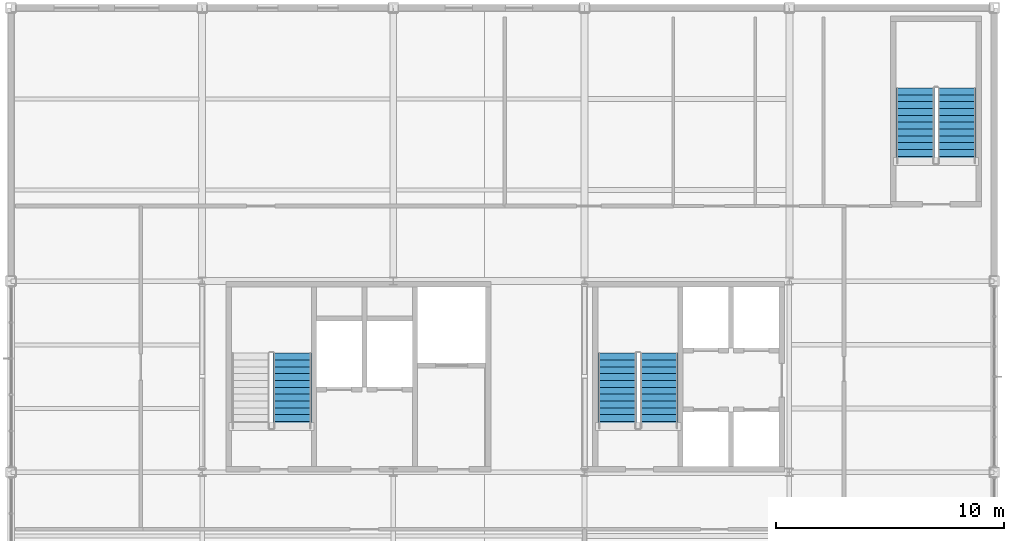
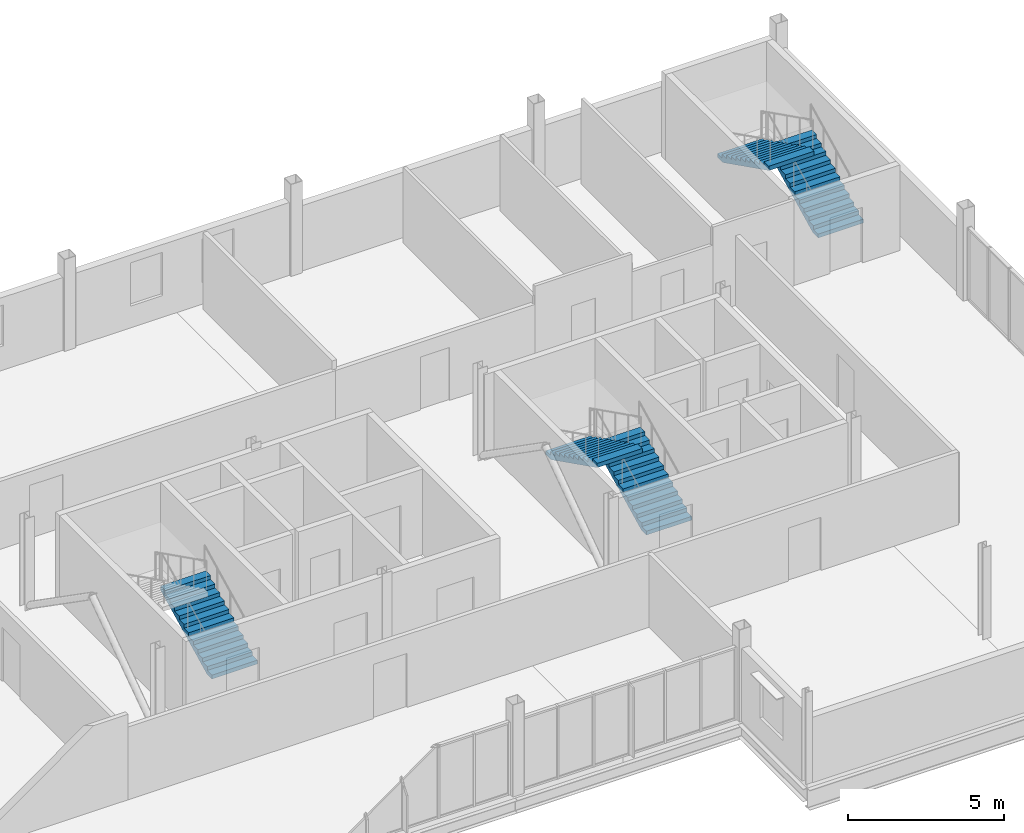
# One storey, part 14 of 16: 5 stair flights, 3 elements without a shape of their own.
"""IFC4 building model written with IfcOpenShell, lengths in metres."""

import ifcopenshell
import ifcopenshell.guid

model = None  # the IFC model being written
_history = None  # IfcOwnerHistory: only IFC2X3 demands one
_inside = {}  # id of a spatial element -> (the spatial element, [elements in it])
_under = {}  # id of a project, library or spatial element -> (it, [spatial elements below it])
_declared = {}  # id of a project -> (the project, [libraries it declares])
_typed = {}  # id of a type object -> (the type object, [elements of that type])
_made_of = {}  # id of a material, layer set ... -> (it, [elements and type objects made of it])


def new_model(schema):
    """Start an empty IFC model of exactly this schema.

    Asked for "IFC4X3", IfcOpenShell would pick the latest addendum, in which some entities
    have other attributes; the version numbers below select the first issue.
    IFC2X3 requires an IfcOwnerHistory on every rooted entity: one is made here for all.
    """
    global model, _history
    if schema == "IFC4X3":
        model = ifcopenshell.file(schema_version=(4, 3, 0, 0))
    else:
        model = ifcopenshell.file(schema=schema)
    _inside.clear()
    _under.clear()
    _declared.clear()
    _typed.clear()
    _made_of.clear()
    _history = None
    if model.schema == "IFC2X3":
        org = make("IfcOrganization", Name="unknown")
        user = make(
            "IfcPersonAndOrganization",
            ThePerson=make("IfcPerson", FamilyName="unknown"),
            TheOrganization=org,
        )
        app = make(
            "IfcApplication",
            ApplicationDeveloper=org,
            Version="unknown",
            ApplicationFullName="unknown",
            ApplicationIdentifier="unknown",
        )
        _history = make(
            "IfcOwnerHistory",
            OwningUser=user,
            OwningApplication=app,
            ChangeAction="ADDED",
            CreationDate=0,
        )
    return model


def make(cls, **values):
    """One entity of the class cls with the attributes given. An attribute that is None is left unset."""
    return model.create_entity(
        cls, **{name: value for name, value in values.items() if value is not None}
    )


def rooted(cls, **values):
    """An entity with a GlobalId (a new one), such as an element, a storey or a relation."""
    return make(cls, GlobalId=ifcopenshell.guid.new(), OwnerHistory=_history, **values)


def si_unit(unit_type, name, prefix=None):
    """IfcSIUnit, for example si_unit("LENGTHUNIT", "METRE", prefix="MILLI")."""
    return make("IfcSIUnit", UnitType=unit_type, Prefix=prefix, Name=name)


def assignment(units):
    """IfcUnitAssignment: the units of a project."""
    return None if units is None else make("IfcUnitAssignment", Units=units)


def point(xyz):
    """IfcCartesianPoint."""
    return None if xyz is None else make("IfcCartesianPoint", Coordinates=xyz)


def direction(xyz):
    """IfcDirection."""
    return None if xyz is None else make("IfcDirection", DirectionRatios=xyz)


def frame(location, z_axis=None, x_axis=None):
    """IfcAxis2Placement3D, a coordinate frame: its origin and axes. An axis left out is left unset."""
    return make(
        "IfcAxis2Placement3D",
        Location=point(location),
        Axis=direction(z_axis),
        RefDirection=direction(x_axis),
    )


def origin():
    """The frame at (0, 0, 0) with its axes left unset."""
    return frame((0.0, 0.0, 0.0))


def place(relative_to, where):
    """IfcLocalPlacement: puts the frame where relative to a parent placement (None: the world)."""
    return make(
        "IfcLocalPlacement", PlacementRelTo=relative_to, RelativePlacement=where
    )


def context(
    kind, dimensions, precision=None, world=None, true_north=None, identifier=None
):
    """IfcGeometricRepresentationContext, for example the 3D "Model" context."""
    return make(
        "IfcGeometricRepresentationContext",
        ContextIdentifier=identifier,
        ContextType=kind,
        CoordinateSpaceDimension=dimensions,
        Precision=precision,
        WorldCoordinateSystem=world,
        TrueNorth=true_north,
    )


def subcontext(parent, identifier, kind, view, scale=None):
    """IfcGeometricRepresentationSubContext, for example "Body" below "Model"."""
    return make(
        "IfcGeometricRepresentationSubContext",
        ContextIdentifier=identifier,
        ContextType=kind,
        ParentContext=parent,
        TargetScale=scale,
        TargetView=view,
    )


def project(units=None, contexts=None):
    """IfcProject with its units and contexts."""
    return rooted(
        "IfcProject",
        Name="project",
        RepresentationContexts=contexts,
        UnitsInContext=assignment(units),
    )


def spatial(cls, under=None, at=None, **own):
    """A site, building, storey or space (cls), placed at a placement, below another one or the project."""
    s = rooted(cls, ObjectPlacement=at, **own)
    if under is not None:
        _under.setdefault(under.id(), (under, []))[1].append(s)
    return s


def polyline(points):
    """IfcPolyline through the points."""
    return make("IfcPolyline", Points=[point(p) for p in points])


def outline(outer, holes=None, kind="AREA"):
    """IfcArbitraryClosedProfileDef: a profile drawn as a closed curve; with holes, ...WithVoids."""
    if holes is None:
        return make("IfcArbitraryClosedProfileDef", ProfileType=kind, OuterCurve=outer)
    return make(
        "IfcArbitraryProfileDefWithVoids",
        ProfileType=kind,
        OuterCurve=outer,
        InnerCurves=holes,
    )


def extrude(swept, where, along, depth):
    """IfcExtrudedAreaSolid: the profile swept, set in the frame where, extruded along a direction by depth."""
    return make(
        "IfcExtrudedAreaSolid",
        SweptArea=swept,
        Position=where,
        ExtrudedDirection=direction(along),
        Depth=depth,
    )


def shape(context_of_items, identifier, shape_type, items):
    """IfcShapeRepresentation: the items that make up one representation, for example the "Body"."""
    return make(
        "IfcShapeRepresentation",
        ContextOfItems=context_of_items,
        RepresentationIdentifier=identifier,
        RepresentationType=shape_type,
        Items=items,
    )


def material(Name=None, Category=None):
    """IfcMaterial."""
    return make("IfcMaterial", Name=Name, Category=Category)


def made_of(thing, what):
    """Note that an element or type object is made of a material, layer set ...; save() writes the relation."""
    if what is not None:
        _made_of.setdefault(what.id(), (what, []))[1].append(thing)
    return thing


def type_object(cls, material=None, **own):
    """A type object (cls), such as IfcWallType, which elements share."""
    return made_of(rooted(cls, **own), material)


def element(
    cls,
    number,
    at=None,
    inside=None,
    cuts=None,
    type_object=None,
    material=None,
    context=None,
    identifier="Body",
    shape_type=None,
    held_by="IfcProductDefinitionShape",
    body=None,
    shapes=None,
    **own,
):
    """One element of the class cls, such as IfcWall. Its Tag is "e" and its number.

    at: its placement. inside: the storey or other place that contains it. cuts: it is an
    opening in that element (IfcRelVoidsElement). A single representation is given by context,
    identifier, shape_type and body (its items); several are given by shapes. held_by: the class
    of the entity that holds the representations. save() writes the other relations.
    """
    e = rooted(cls, Tag="e%d" % number, ObjectPlacement=at, **own)
    if body is not None:
        shapes = [shape(context, identifier, shape_type, body)]
    if shapes is not None:
        e.Representation = make(held_by, Representations=shapes)
    if inside is not None:
        _inside.setdefault(inside.id(), (inside, []))[1].append(e)
    if cuts is not None:
        rooted(
            "IfcRelVoidsElement", RelatingBuildingElement=cuts, RelatedOpeningElement=e
        )
    if type_object is not None:
        _typed.setdefault(type_object.id(), (type_object, []))[1].append(e)
    return made_of(e, material)


def aggregate(whole, parts):
    """IfcRelAggregates: a whole, such as a stair, and the parts it consists of."""
    return rooted("IfcRelAggregates", RelatingObject=whole, RelatedObjects=parts)


def save(model, path):
    """Write the relations noted so far, then the file.

    IfcRelAggregates (storeys below a building ...), IfcRelContainedInSpatialStructure (elements
    in a storey), IfcRelDefinesByType, IfcRelAssociatesMaterial and IfcRelDeclares: one each for
    every whole, place, type object, material and project.
    """
    for whole, parts in _under.values():
        aggregate(whole, parts)
    for where, things in _inside.values():
        rooted(
            "IfcRelContainedInSpatialStructure",
            RelatedElements=things,
            RelatingStructure=where,
        )
    for kind, things in _typed.values():
        rooted("IfcRelDefinesByType", RelatedObjects=things, RelatingType=kind)
    for what, things in _made_of.values():
        rooted("IfcRelAssociatesMaterial", RelatedObjects=things, RelatingMaterial=what)
    for by, libraries in _declared.values():
        rooted("IfcRelDeclares", RelatingContext=by, RelatedDefinitions=libraries)
    model.write(path)


model = new_model("IFC4")

# Units and contexts
model_context = context("Model", 3, precision=1e-05, world=origin(), true_north=direction((0.0, 1.0)))
body_context = subcontext(model_context, "Body", "Model", "MODEL_VIEW")
ifc_project = project(units=[si_unit("LENGTHUNIT", "METRE"), si_unit("AREAUNIT", "SQUARE_METRE"), si_unit("VOLUMEUNIT", "CUBIC_METRE"), si_unit("PLANEANGLEUNIT", "RADIAN"), si_unit("MASSUNIT", "GRAM", prefix="KILO")], contexts=[model_context])

# Site, building, storey
site_placement = place(None, origin())
site = spatial("IfcSite", under=ifc_project, at=site_placement, CompositionType="ELEMENT")
building_placement = place(site_placement, origin())
building = spatial("IfcBuilding", under=site, at=building_placement, Name="Yukiwa Park Conservatory and Herbarium", CompositionType="ELEMENT")
storey_placement = place(building_placement, frame((0.0, 0.0, 43.199951171875)))
storey = spatial("IfcBuildingStorey", under=building, at=storey_placement, Name="L11", CompositionType="ELEMENT", Elevation=43.199951171875)

# Stair, stair flight
ifc_material_1 = material(Name="Concrete C40", Category="concrete")
stair_type_1 = type_object("IfcStairType", Name="ST-DOGLEG-ST-T1", PredefinedType="HALF_TURN_STAIR", material=ifc_material_1)
stair_1_placement = place(storey_placement, origin())
stair_1 = element("IfcStair", 1, at=stair_1_placement, inside=storey, type_object=stair_type_1, Name="L11 Protected Smoke-Proof Stair ST-T1", PredefinedType="HALF_TURN_STAIR")
ifc_material_2 = material(Name="Concrete C40", Category="concrete")
stair_flight_type = type_object("IfcStairFlightType", Name="STF-RC-1680", PredefinedType="STRAIGHT", material=ifc_material_2)
stair_flight_1_placement = place(storey_placement, frame((137.159912109375, 96.72998046875, 0.0), z_axis=(0.0, 0.0, 1.0), x_axis=(0.0, 1.0, 0.0)))
stair_flight_1 = element("IfcStairFlight", 2, at=stair_flight_1_placement, type_object=stair_flight_type, Name="ST-T1 flight 1", NumberOfRisers=12, NumberOfTreads=11, PredefinedType="STRAIGHT", RiserHeight=0.15, TreadLength=0.3, context=body_context, shape_type="SweptSolid", body=[
    extrude(outline(polyline([(0.0, 0.0), (0.0, 0.14990234375), (0.300048828125, 0.14990234375), (0.300048828125, 0.300048828125), (0.60009765625, 0.300048828125), (0.60009765625, 0.449951171875), (0.89990234375, 0.449951171875), (0.89990234375, 0.60009765625), (1.199951171875, 0.60009765625), (1.199951171875, 0.75), (1.5, 0.75), (1.5, 0.89990234375), (1.800048828125, 0.89990234375), (1.800048828125, 1.050048828125), (2.10009765625, 1.050048828125), (2.10009765625, 1.199951171875), (2.39990234375, 1.199951171875), (2.39990234375, 1.35009765625), (2.699951171875, 1.35009765625), (2.699951171875, 1.5), (3.0, 1.5), (3.0, 1.64990234375), (3.300048828125, 1.64990234375), (3.300048828125, 1.800048828125), (3.300048828125, 1.482421875), (0.335205078125, 0.0), (0.0, 0.0)])), frame((0.0, 0.83984375, 0.0), z_axis=(0.0, -1.0, 0.0), x_axis=(1.0, 0.0, 0.0)), (0.0, 0.0, 1.0), 1.679931640625),
])
aggregate(stair_1, [stair_flight_1])

# Stair, stair flights
ifc_material_3 = material(Name="Concrete C40", Category="concrete")
stair_type_2 = type_object("IfcStairType", Name="ST-DOGLEG-ST-T2", PredefinedType="HALF_TURN_STAIR", material=ifc_material_3)
stair_2_placement = place(storey_placement, origin())
stair_2 = element("IfcStair", 3, at=stair_2_placement, inside=storey, type_object=stair_type_2, Name="L11 Protected Smoke-Proof Stair ST-T2", PredefinedType="HALF_TURN_STAIR")
stair_flight_2_placement = place(storey_placement, frame((153.27001953125, 96.72998046875, 0.0), z_axis=(0.0, 0.0, 1.0), x_axis=(0.0, 1.0, 0.0)))
stair_flight_2 = element("IfcStairFlight", 4, at=stair_flight_2_placement, type_object=stair_flight_type, Name="ST-T2 flight 1", NumberOfRisers=12, NumberOfTreads=11, PredefinedType="STRAIGHT", RiserHeight=0.15, TreadLength=0.3, context=body_context, shape_type="SweptSolid", body=[
    extrude(outline(polyline([(0.0, 0.0), (0.0, 0.14990234375), (0.300048828125, 0.14990234375), (0.300048828125, 0.300048828125), (0.60009765625, 0.300048828125), (0.60009765625, 0.449951171875), (0.89990234375, 0.449951171875), (0.89990234375, 0.60009765625), (1.199951171875, 0.60009765625), (1.199951171875, 0.75), (1.5, 0.75), (1.5, 0.89990234375), (1.800048828125, 0.89990234375), (1.800048828125, 1.050048828125), (2.10009765625, 1.050048828125), (2.10009765625, 1.199951171875), (2.39990234375, 1.199951171875), (2.39990234375, 1.35009765625), (2.699951171875, 1.35009765625), (2.699951171875, 1.5), (3.0, 1.5), (3.0, 1.64990234375), (3.300048828125, 1.64990234375), (3.300048828125, 1.800048828125), (3.300048828125, 1.482421875), (0.335205078125, 0.0), (0.0, 0.0)])), frame((0.0, 0.83984375, 0.0), z_axis=(0.0, -1.0, 0.0), x_axis=(1.0, 0.0, 0.0)), (0.0, 0.0, 1.0), 1.679931640625),
])
stair_flight_3_placement = place(storey_placement, frame((151.43994140625, 100.030029296875, 1.800048828125), z_axis=(0.0, 0.0, 1.0), x_axis=(0.0, -1.0, 0.0)))
stair_flight_3 = element("IfcStairFlight", 5, at=stair_flight_3_placement, type_object=stair_flight_type, Name="ST-T2 flight 2", NumberOfRisers=12, NumberOfTreads=11, PredefinedType="STRAIGHT", RiserHeight=0.15, TreadLength=0.3, context=body_context, shape_type="SweptSolid", body=[
    extrude(outline(polyline([(0.0, 0.0), (0.0, 0.14990234375), (0.300048828125, 0.14990234375), (0.300048828125, 0.300048828125), (0.60009765625, 0.300048828125), (0.60009765625, 0.449951171875), (0.89990234375, 0.449951171875), (0.89990234375, 0.60009765625), (1.199951171875, 0.60009765625), (1.199951171875, 0.75), (1.5, 0.75), (1.5, 0.89990234375), (1.800048828125, 0.89990234375), (1.800048828125, 1.050048828125), (2.10009765625, 1.050048828125), (2.10009765625, 1.199951171875), (2.39990234375, 1.199951171875), (2.39990234375, 1.35009765625), (2.699951171875, 1.35009765625), (2.699951171875, 1.5), (3.0, 1.5), (3.0, 1.64990234375), (3.300048828125, 1.64990234375), (3.300048828125, 1.800048828125), (3.300048828125, 1.482421875), (0.335205078125, 0.0), (0.0, 0.0)])), frame((0.0, 0.83984375, 0.0), z_axis=(0.0, -1.0, 0.0), x_axis=(1.0, 0.0, 0.0)), (0.0, 0.0, 1.0), 1.679931640625),
])
aggregate(stair_2, [stair_flight_2, stair_flight_3])

ifc_material_4 = material(Name="Concrete C40", Category="concrete")
stair_type_3 = type_object("IfcStairType", Name="ST-DOGLEG-ST-T3", PredefinedType="HALF_TURN_STAIR", material=ifc_material_4)
stair_3_placement = place(storey_placement, origin())
stair_3 = element("IfcStair", 6, at=stair_3_placement, inside=storey, type_object=stair_type_3, Name="L11 Protected Smoke-Proof Stair ST-T3", PredefinedType="HALF_TURN_STAIR")
stair_flight_4_placement = place(storey_placement, frame((166.360107421875, 108.3798828125, 0.0), z_axis=(0.0, 0.0, 1.0), x_axis=(0.0, 1.0, 0.0)))
stair_flight_4 = element("IfcStairFlight", 7, at=stair_flight_4_placement, type_object=stair_flight_type, Name="ST-T3 flight 1", NumberOfRisers=12, NumberOfTreads=11, PredefinedType="STRAIGHT", RiserHeight=0.15, TreadLength=0.3, context=body_context, shape_type="SweptSolid", body=[
    extrude(outline(polyline([(0.0, 0.0), (0.0, 0.14990234375), (0.300048828125, 0.14990234375), (0.300048828125, 0.300048828125), (0.60009765625, 0.300048828125), (0.60009765625, 0.449951171875), (0.89990234375, 0.449951171875), (0.89990234375, 0.60009765625), (1.199951171875, 0.60009765625), (1.199951171875, 0.75), (1.5, 0.75), (1.5, 0.89990234375), (1.800048828125, 0.89990234375), (1.800048828125, 1.050048828125), (2.10009765625, 1.050048828125), (2.10009765625, 1.199951171875), (2.39990234375, 1.199951171875), (2.39990234375, 1.35009765625), (2.699951171875, 1.35009765625), (2.699951171875, 1.5), (3.0, 1.5), (3.0, 1.64990234375), (3.300048828125, 1.64990234375), (3.300048828125, 1.800048828125), (3.300048828125, 1.482421875), (0.335205078125, 0.0), (0.0, 0.0)])), frame((0.0, 0.83984375, 0.0), z_axis=(0.0, -1.0, 0.0), x_axis=(1.0, 0.0, 0.0)), (0.0, 0.0, 1.0), 1.679931640625),
])
stair_flight_5_placement = place(storey_placement, frame((164.530029296875, 111.679931640625, 1.800048828125), z_axis=(0.0, 0.0, 1.0), x_axis=(0.0, -1.0, 0.0)))
stair_flight_5 = element("IfcStairFlight", 8, at=stair_flight_5_placement, type_object=stair_flight_type, Name="ST-T3 flight 2", NumberOfRisers=12, NumberOfTreads=11, PredefinedType="STRAIGHT", RiserHeight=0.15, TreadLength=0.3, context=body_context, shape_type="SweptSolid", body=[
    extrude(outline(polyline([(0.0, 0.0), (0.0, 0.14990234375), (0.300048828125, 0.14990234375), (0.300048828125, 0.300048828125), (0.60009765625, 0.300048828125), (0.60009765625, 0.449951171875), (0.89990234375, 0.449951171875), (0.89990234375, 0.60009765625), (1.199951171875, 0.60009765625), (1.199951171875, 0.75), (1.5, 0.75), (1.5, 0.89990234375), (1.800048828125, 0.89990234375), (1.800048828125, 1.050048828125), (2.10009765625, 1.050048828125), (2.10009765625, 1.199951171875), (2.39990234375, 1.199951171875), (2.39990234375, 1.35009765625), (2.699951171875, 1.35009765625), (2.699951171875, 1.5), (3.0, 1.5), (3.0, 1.64990234375), (3.300048828125, 1.64990234375), (3.300048828125, 1.800048828125), (3.300048828125, 1.482421875), (0.335205078125, 0.0), (0.0, 0.0)])), frame((0.0, 0.83984375, 0.0), z_axis=(0.0, -1.0, 0.0), x_axis=(1.0, 0.0, 0.0)), (0.0, 0.0, 1.0), 1.679931640625),
])
aggregate(stair_3, [stair_flight_4, stair_flight_5])

save(model, "model.ifc")
